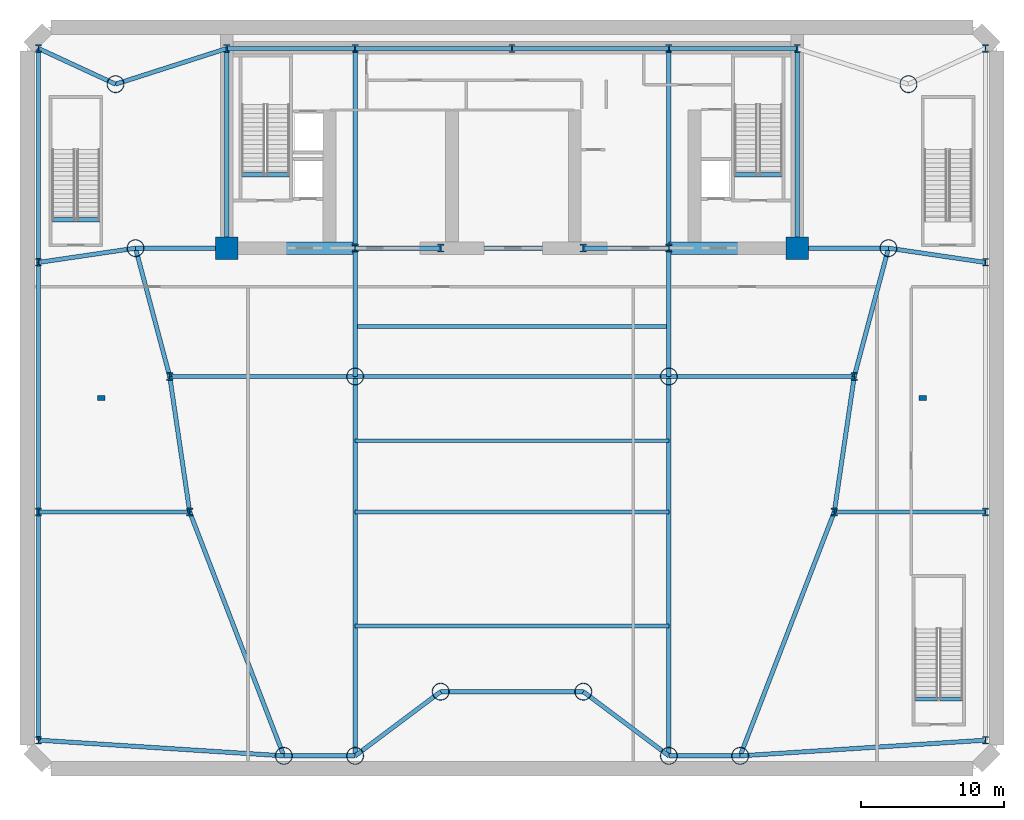
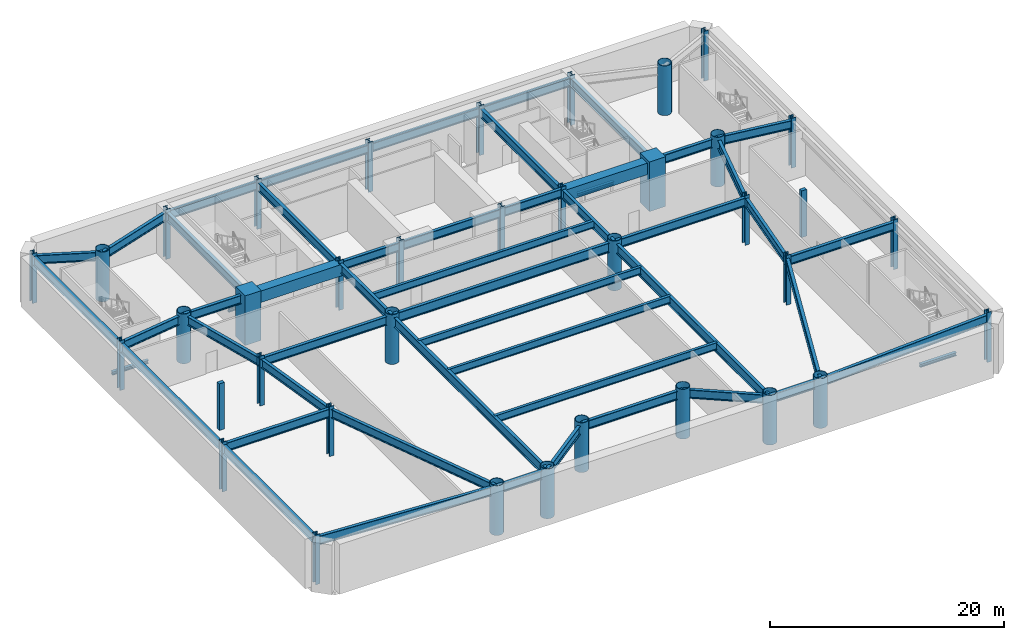
# One storey, part 1 of 9: 52 beams, 37 columns.
"""IFC4 building model written with IfcOpenShell, lengths in metres."""

import ifcopenshell
import ifcopenshell.guid

model = None  # the IFC model being written
_history = None  # IfcOwnerHistory: only IFC2X3 demands one
_inside = {}  # id of a spatial element -> (the spatial element, [elements in it])
_under = {}  # id of a project, library or spatial element -> (it, [spatial elements below it])
_declared = {}  # id of a project -> (the project, [libraries it declares])
_typed = {}  # id of a type object -> (the type object, [elements of that type])
_made_of = {}  # id of a material, layer set ... -> (it, [elements and type objects made of it])


def new_model(schema):
    """Start an empty IFC model of exactly this schema.

    Asked for "IFC4X3", IfcOpenShell would pick the latest addendum, in which some entities
    have other attributes; the version numbers below select the first issue.
    IFC2X3 requires an IfcOwnerHistory on every rooted entity: one is made here for all.
    """
    global model, _history
    if schema == "IFC4X3":
        model = ifcopenshell.file(schema_version=(4, 3, 0, 0))
    else:
        model = ifcopenshell.file(schema=schema)
    _inside.clear()
    _under.clear()
    _declared.clear()
    _typed.clear()
    _made_of.clear()
    _history = None
    if model.schema == "IFC2X3":
        org = make("IfcOrganization", Name="unknown")
        user = make(
            "IfcPersonAndOrganization",
            ThePerson=make("IfcPerson", FamilyName="unknown"),
            TheOrganization=org,
        )
        app = make(
            "IfcApplication",
            ApplicationDeveloper=org,
            Version="unknown",
            ApplicationFullName="unknown",
            ApplicationIdentifier="unknown",
        )
        _history = make(
            "IfcOwnerHistory",
            OwningUser=user,
            OwningApplication=app,
            ChangeAction="ADDED",
            CreationDate=0,
        )
    return model


def make(cls, **values):
    """One entity of the class cls with the attributes given. An attribute that is None is left unset."""
    return model.create_entity(
        cls, **{name: value for name, value in values.items() if value is not None}
    )


def rooted(cls, **values):
    """An entity with a GlobalId (a new one), such as an element, a storey or a relation."""
    return make(cls, GlobalId=ifcopenshell.guid.new(), OwnerHistory=_history, **values)


def si_unit(unit_type, name, prefix=None):
    """IfcSIUnit, for example si_unit("LENGTHUNIT", "METRE", prefix="MILLI")."""
    return make("IfcSIUnit", UnitType=unit_type, Prefix=prefix, Name=name)


def assignment(units):
    """IfcUnitAssignment: the units of a project."""
    return None if units is None else make("IfcUnitAssignment", Units=units)


def point(xyz):
    """IfcCartesianPoint."""
    return None if xyz is None else make("IfcCartesianPoint", Coordinates=xyz)


def direction(xyz):
    """IfcDirection."""
    return None if xyz is None else make("IfcDirection", DirectionRatios=xyz)


def frame(location, z_axis=None, x_axis=None):
    """IfcAxis2Placement3D, a coordinate frame: its origin and axes. An axis left out is left unset."""
    return make(
        "IfcAxis2Placement3D",
        Location=point(location),
        Axis=direction(z_axis),
        RefDirection=direction(x_axis),
    )


def frame_2d(location, x_axis=None):
    """IfcAxis2Placement2D, a coordinate frame in the plane: its origin and x axis."""
    return make(
        "IfcAxis2Placement2D", Location=point(location), RefDirection=direction(x_axis)
    )


def origin():
    """The frame at (0, 0, 0) with its axes left unset."""
    return frame((0.0, 0.0, 0.0))


def origin_2d():
    """The frame at (0, 0) in the plane with its x axis left unset."""
    return frame_2d((0.0, 0.0))


def place(relative_to, where):
    """IfcLocalPlacement: puts the frame where relative to a parent placement (None: the world)."""
    return make(
        "IfcLocalPlacement", PlacementRelTo=relative_to, RelativePlacement=where
    )


def context(
    kind, dimensions, precision=None, world=None, true_north=None, identifier=None
):
    """IfcGeometricRepresentationContext, for example the 3D "Model" context."""
    return make(
        "IfcGeometricRepresentationContext",
        ContextIdentifier=identifier,
        ContextType=kind,
        CoordinateSpaceDimension=dimensions,
        Precision=precision,
        WorldCoordinateSystem=world,
        TrueNorth=true_north,
    )


def subcontext(parent, identifier, kind, view, scale=None):
    """IfcGeometricRepresentationSubContext, for example "Body" below "Model"."""
    return make(
        "IfcGeometricRepresentationSubContext",
        ContextIdentifier=identifier,
        ContextType=kind,
        ParentContext=parent,
        TargetScale=scale,
        TargetView=view,
    )


def project(units=None, contexts=None):
    """IfcProject with its units and contexts."""
    return rooted(
        "IfcProject",
        Name="project",
        RepresentationContexts=contexts,
        UnitsInContext=assignment(units),
    )


def spatial(cls, under=None, at=None, **own):
    """A site, building, storey or space (cls), placed at a placement, below another one or the project."""
    s = rooted(cls, ObjectPlacement=at, **own)
    if under is not None:
        _under.setdefault(under.id(), (under, []))[1].append(s)
    return s


def profile(cls, at=None, kind="AREA", **sizes):
    """A parametric profile (cls). Its sizes go by their IFC names, for example OverallWidth=200.0."""
    return make(cls, ProfileType=kind, Position=at, **sizes)


def rectangle(**sizes):
    """IfcRectangleProfileDef."""
    return profile("IfcRectangleProfileDef", **sizes)


def hollow_circle(**sizes):
    """IfcCircleHollowProfileDef."""
    return profile("IfcCircleHollowProfileDef", **sizes)


def i_section(**sizes):
    """IfcIShapeProfileDef."""
    return profile("IfcIShapeProfileDef", **sizes)


def extrude(swept, where, along, depth):
    """IfcExtrudedAreaSolid: the profile swept, set in the frame where, extruded along a direction by depth."""
    return make(
        "IfcExtrudedAreaSolid",
        SweptArea=swept,
        Position=where,
        ExtrudedDirection=direction(along),
        Depth=depth,
    )


def shape(context_of_items, identifier, shape_type, items):
    """IfcShapeRepresentation: the items that make up one representation, for example the "Body"."""
    return make(
        "IfcShapeRepresentation",
        ContextOfItems=context_of_items,
        RepresentationIdentifier=identifier,
        RepresentationType=shape_type,
        Items=items,
    )


def source(mapping_origin, context_of_items, identifier, shape_type, items):
    """IfcRepresentationMap: a shape defined once, which mapped items show again and again."""
    return make(
        "IfcRepresentationMap",
        MappingOrigin=mapping_origin,
        MappedRepresentation=shape(context_of_items, identifier, shape_type, items),
    )


def transform(
    local_origin,
    x_axis=None,
    y_axis=None,
    z_axis=None,
    scale=None,
    scale2=None,
    scale3=None,
    uniform=True,
):
    """IfcCartesianTransformationOperator3D, or its non-uniform kind. x_axis, y_axis, z_axis: its Axis1, 2, 3."""
    if uniform:
        return make(
            "IfcCartesianTransformationOperator3D",
            Axis1=direction(x_axis),
            Axis2=direction(y_axis),
            LocalOrigin=point(local_origin),
            Scale=scale,
            Axis3=direction(z_axis),
        )
    return make(
        "IfcCartesianTransformationOperator3DnonUniform",
        Axis1=direction(x_axis),
        Axis2=direction(y_axis),
        LocalOrigin=point(local_origin),
        Scale=scale,
        Axis3=direction(z_axis),
        Scale2=scale2,
        Scale3=scale3,
    )


def mapped(mapping_source, mapping_target):
    """IfcMappedItem: shows the shape of a source again, moved by a transform."""
    return make(
        "IfcMappedItem", MappingSource=mapping_source, MappingTarget=mapping_target
    )


def material(Name=None, Category=None):
    """IfcMaterial."""
    return make("IfcMaterial", Name=Name, Category=Category)


def material_profile(
    of_material, cross_section, Name=None, Category=None, Priority=None
):
    """IfcMaterialProfile: a cross section and its material."""
    return make(
        "IfcMaterialProfile",
        Name=Name,
        Material=of_material,
        Profile=cross_section,
        Priority=Priority,
        Category=Category,
    )


def profile_set(profiles, Name=None, composite=None):
    """IfcMaterialProfileSet."""
    return make(
        "IfcMaterialProfileSet",
        Name=Name,
        MaterialProfiles=profiles,
        CompositeProfile=composite,
    )


def made_of(thing, what):
    """Note that an element or type object is made of a material, layer set ...; save() writes the relation."""
    if what is not None:
        _made_of.setdefault(what.id(), (what, []))[1].append(thing)
    return thing


def type_object(cls, material=None, **own):
    """A type object (cls), such as IfcWallType, which elements share."""
    return made_of(rooted(cls, **own), material)


def element(
    cls,
    number,
    at=None,
    inside=None,
    cuts=None,
    type_object=None,
    material=None,
    context=None,
    identifier="Body",
    shape_type=None,
    held_by="IfcProductDefinitionShape",
    body=None,
    shapes=None,
    **own,
):
    """One element of the class cls, such as IfcWall. Its Tag is "e" and its number.

    at: its placement. inside: the storey or other place that contains it. cuts: it is an
    opening in that element (IfcRelVoidsElement). A single representation is given by context,
    identifier, shape_type and body (its items); several are given by shapes. held_by: the class
    of the entity that holds the representations. save() writes the other relations.
    """
    e = rooted(cls, Tag="e%d" % number, ObjectPlacement=at, **own)
    if body is not None:
        shapes = [shape(context, identifier, shape_type, body)]
    if shapes is not None:
        e.Representation = make(held_by, Representations=shapes)
    if inside is not None:
        _inside.setdefault(inside.id(), (inside, []))[1].append(e)
    if cuts is not None:
        rooted(
            "IfcRelVoidsElement", RelatingBuildingElement=cuts, RelatedOpeningElement=e
        )
    if type_object is not None:
        _typed.setdefault(type_object.id(), (type_object, []))[1].append(e)
    return made_of(e, material)


def aggregate(whole, parts):
    """IfcRelAggregates: a whole, such as a stair, and the parts it consists of."""
    return rooted("IfcRelAggregates", RelatingObject=whole, RelatedObjects=parts)


def save(model, path):
    """Write the relations noted so far, then the file.

    IfcRelAggregates (storeys below a building ...), IfcRelContainedInSpatialStructure (elements
    in a storey), IfcRelDefinesByType, IfcRelAssociatesMaterial and IfcRelDeclares: one each for
    every whole, place, type object, material and project.
    """
    for whole, parts in _under.values():
        aggregate(whole, parts)
    for where, things in _inside.values():
        rooted(
            "IfcRelContainedInSpatialStructure",
            RelatedElements=things,
            RelatingStructure=where,
        )
    for kind, things in _typed.values():
        rooted("IfcRelDefinesByType", RelatedObjects=things, RelatingType=kind)
    for what, things in _made_of.values():
        rooted("IfcRelAssociatesMaterial", RelatedObjects=things, RelatingMaterial=what)
    for by, libraries in _declared.values():
        rooted("IfcRelDeclares", RelatingContext=by, RelatedDefinitions=libraries)
    model.write(path)


model = new_model("IFC4")

# Units and contexts
model_context = context("Model", 3, precision=1e-05, world=origin(), true_north=direction((0.0, 1.0)))
body_context = subcontext(model_context, "Body", "Model", "MODEL_VIEW")
ifc_project = project(units=[si_unit("LENGTHUNIT", "METRE"), si_unit("AREAUNIT", "SQUARE_METRE"), si_unit("VOLUMEUNIT", "CUBIC_METRE"), si_unit("PLANEANGLEUNIT", "RADIAN"), si_unit("MASSUNIT", "GRAM", prefix="KILO")], contexts=[model_context])

# Site, building, storey
site_placement = place(None, origin())
site = spatial("IfcSite", under=ifc_project, at=site_placement, CompositionType="ELEMENT")
building_placement = place(site_placement, origin())
building = spatial("IfcBuilding", under=site, at=building_placement, Name="Vaeldorn Concourse Tower", CompositionType="ELEMENT")
storey_placement = place(building_placement, frame((0.0, 0.0, -5.199951171875)))
storey = spatial("IfcBuildingStorey", under=building, at=storey_placement, Name="B01", CompositionType="ELEMENT", Elevation=-5.199951171875)

# Columns
ifc_material_1 = material(Name="Concrete C60/75", Category="concrete")
ifc_material_profile_1 = material_profile(ifc_material_1, rectangle(XDim=1.60009765625, YDim=1.60009765625, at=origin_2d()), Name="RC 1600x1600")
ifc_profile_set_1 = profile_set([ifc_material_profile_1], Name="Concrete C60/75")
column_type_1 = type_object("IfcColumnType", Name="COL-RC1600", PredefinedType="COLUMN", material=ifc_profile_set_1)
shared_shape_1 = source(origin(), body_context, "Body", "SweptSolid", [
    extrude(rectangle(XDim=1.60009765625, YDim=1.60009765625, at=origin_2d()), origin(), (0.0, 0.0, 1.0), 5.199951171875),
])
for number, where, z_axis, x_axis, name in (
    (1, (14.0, 36.5, 0.0), (0.0, 0.0, 1.0), (1.0, 0.0, 0.0), "Column C-FC1 B01"),
    (2, (54.0, 36.5, 0.0), (0.0, 0.0, 1.0), (1.0, 0.0, 0.0), "Column C-FC6 B01"),
):
    element("IfcColumn", number, at=place(storey_placement, frame(where, z_axis=z_axis, x_axis=x_axis)), inside=storey, type_object=column_type_1, Name=name, PredefinedType="COLUMN", context=body_context, shape_type="MappedRepresentation", body=[
        mapped(shared_shape_1, transform((0.0, 0.0, 0.0), scale=1.0)),
    ])
ifc_material_2 = material(Name="Steel S460", Category="steel")
ifc_material_profile_2 = material_profile(ifc_material_2, i_section(OverallWidth=0.4541015625, OverallDepth=0.569091796875, WebThickness=0.077880859375, FlangeThickness=0.080078125, FilletRadius=0.014892578125, at=origin_2d()), Name="HD 400x1086")
ifc_profile_set_2 = profile_set([ifc_material_profile_2], Name="Steel S460")
column_type_2 = type_object("IfcColumnType", Name="COL-HD1086", PredefinedType="COLUMN", material=ifc_profile_set_2)
shared_shape_2 = source(origin(), body_context, "Body", "SweptSolid", [
    extrude(i_section(OverallWidth=0.4541015625, OverallDepth=0.569091796875, WebThickness=0.077880859375, FlangeThickness=0.080078125, FilletRadius=0.014892578125, at=origin_2d()), origin(), (0.0, 0.0, 1.0), 5.199951171875),
])
for number, where, z_axis, x_axis, name in (
    (3, (23.0, 36.5, 0.0), (0.0, 0.0, 1.0), (1.0, 0.0, 0.0), "Column C-FC2 B01"),
    (4, (29.0, 36.5, 0.0), (0.0, 0.0, 1.0), (1.0, 0.0, 0.0), "Column C-FC3 B01"),
    (5, (39.0, 36.5, 0.0), (0.0, 0.0, 1.0), (1.0, 0.0, 0.0), "Column C-FC4 B01"),
    (6, (45.0, 36.5, 0.0), (0.0, 0.0, 1.0), (1.0, 0.0, 0.0), "Column C-FC5 B01"),
    (7, (14.0, 50.5, 0.0), (0.0, 0.0, 1.0), (1.0, 0.0, 0.0), "Column C-HC1 B01"),
    (8, (23.0, 50.5, 0.0), (0.0, 0.0, 1.0), (1.0, 0.0, 0.0), "Column C-HC2 B01"),
    (9, (34.0, 50.5, 0.0), (0.0, 0.0, 1.0), (1.0, 0.0, 0.0), "Column C-HC3 B01"),
    (10, (45.0, 50.5, 0.0), (0.0, 0.0, 1.0), (1.0, 0.0, 0.0), "Column C-HC4 B01"),
    (11, (54.0, 50.5, 0.0), (0.0, 0.0, 1.0), (1.0, 0.0, 0.0), "Column C-HC5 B01"),
):
    element("IfcColumn", number, at=place(storey_placement, frame(where, z_axis=z_axis, x_axis=x_axis)), inside=storey, type_object=column_type_2, Name=name, PredefinedType="COLUMN", context=body_context, shape_type="MappedRepresentation", body=[
        mapped(shared_shape_2, transform((0.0, 0.0, 0.0), scale=1.0)),
    ])
ifc_material_profile_3 = material_profile(ifc_material_2, hollow_circle(Radius=0.609619140625, WallThickness=0.050048828125, at=origin_2d()), Name="CHS 1219x50")
ifc_profile_set_3 = profile_set([ifc_material_profile_3], Name="Steel S460")
column_type_3 = type_object("IfcColumnType", Name="COL-CHS1219", PredefinedType="COLUMN", material=ifc_profile_set_3)
shared_shape_3 = source(origin(), body_context, "Body", "SweptSolid", [
    extrude(hollow_circle(Radius=0.609619140625, WallThickness=0.050048828125, at=origin_2d()), origin(), (0.0, 0.0, 1.0), 5.199951171875),
])
for number, where, z_axis, x_axis, name in (
    (12, (6.199951171875, 48.0, 0.0), (0.0, 0.0, 1.0), (1.0, 0.0, 0.0), "Column C-NW1 B01"),
    (13, (7.60009765625, 36.5, 0.0), (0.0, 0.0, 1.0), (1.0, 0.0, 0.0), "Column C-NW2 B01"),
    (14, (61.800048828125, 48.0, 0.0), (0.0, 0.0, 1.0), (1.0, 0.0, 0.0), "Column C-NE1 B01"),
    (15, (60.39990234375, 36.5, 0.0), (0.0, 0.0, 1.0), (1.0, 0.0, 0.0), "Column C-NE2 B01"),
    (16, (18.0, 0.89990234375, 0.0), (0.0, 0.0, 1.0), (1.0, 0.0, 0.0), "Column C-SM1 B01"),
    (17, (23.0, 0.89990234375, 0.0), (0.0, 0.0, 1.0), (1.0, 0.0, 0.0), "Column C-SM2 B01"),
    (18, (29.0, 5.39990234375, 0.0), (0.0, 0.0, 1.0), (1.0, 0.0, 0.0), "Column C-SM3 B01"),
    (19, (39.0, 5.39990234375, 0.0), (0.0, 0.0, 1.0), (1.0, 0.0, 0.0), "Column C-SM4 B01"),
    (20, (45.0, 0.89990234375, 0.0), (0.0, 0.0, 1.0), (1.0, 0.0, 0.0), "Column C-SM5 B01"),
    (21, (50.0, 0.89990234375, 0.0), (0.0, 0.0, 1.0), (1.0, 0.0, 0.0), "Column C-SM6 B01"),
    (22, (23.0, 27.5, 0.0), (0.0, 0.0, 1.0), (1.0, 0.0, 0.0), "Column C-TW1 B01"),
    (23, (45.0, 27.5, 0.0), (0.0, 0.0, 1.0), (1.0, 0.0, 0.0), "Column C-TW4 B01"),
):
    element("IfcColumn", number, at=place(storey_placement, frame(where, z_axis=z_axis, x_axis=x_axis)), inside=storey, type_object=column_type_3, Name=name, PredefinedType="COLUMN", context=body_context, shape_type="MappedRepresentation", body=[
        mapped(shared_shape_3, transform((0.0, 0.0, 0.0), scale=1.0)),
    ])
ifc_material_profile_4 = material_profile(ifc_material_2, i_section(OverallWidth=0.44189453125, OverallDepth=0.531005859375, WebThickness=0.06494140625, FlangeThickness=0.075927734375, FilletRadius=0.014892578125, at=origin_2d()), Name="HD 400x900")
ifc_profile_set_4 = profile_set([ifc_material_profile_4], Name="Steel S460")
column_type_4 = type_object("IfcColumnType", Name="COL-HD900F", PredefinedType="COLUMN", material=ifc_profile_set_4)
shared_shape_4 = source(origin(), body_context, "Body", "SweptSolid", [
    extrude(i_section(OverallWidth=0.44189453125, OverallDepth=0.531005859375, WebThickness=0.06494140625, FlangeThickness=0.075927734375, FilletRadius=0.014892578125, at=origin_2d()), origin(), (0.0, 0.0, 1.0), 5.199951171875),
])
for number, where, z_axis, x_axis, name in (
    (24, (0.800048828125, 2.0, 0.0), (0.0, 0.0, 1.0), (1.0, 0.0, 0.0), "Column C-PW1 B01"),
    (25, (0.800048828125, 18.0, 0.0), (0.0, 0.0, 1.0), (1.0, 0.0, 0.0), "Column C-PW2 B01"),
    (26, (0.800048828125, 35.5, 0.0), (0.0, 0.0, 1.0), (1.0, 0.0, 0.0), "Column C-PW3 B01"),
    (27, (0.800048828125, 50.5, 0.0), (0.0, 0.0, 1.0), (1.0, 0.0, 0.0), "Column C-PW4 B01"),
    (28, (67.199951171875, 2.0, 0.0), (0.0, 0.0, 1.0), (1.0, 0.0, 0.0), "Column C-PE1 B01"),
    (29, (67.199951171875, 18.0, 0.0), (0.0, 0.0, 1.0), (1.0, 0.0, 0.0), "Column C-PE2 B01"),
    (30, (67.199951171875, 35.5, 0.0), (0.0, 0.0, 1.0), (1.0, 0.0, 0.0), "Column C-PE3 B01"),
    (31, (67.199951171875, 50.5, 0.0), (0.0, 0.0, 1.0), (1.0, 0.0, 0.0), "Column C-PE4 B01"),
    (32, (10.0, 27.5, 0.0), (0.0, 0.0, 1.0), (1.0, 0.0, 0.0), "Column C-FLW1 B01"),
    (33, (11.39990234375, 18.0, 0.0), (0.0, 0.0, 1.0), (1.0, 0.0, 0.0), "Column C-FLW2 B01"),
    (34, (58.0, 27.5, 0.0), (0.0, 0.0, 1.0), (1.0, 0.0, 0.0), "Column C-FLE1 B01"),
    (35, (56.60009765625, 18.0, 0.0), (0.0, 0.0, 1.0), (1.0, 0.0, 0.0), "Column C-FLE2 B01"),
):
    element("IfcColumn", number, at=place(storey_placement, frame(where, z_axis=z_axis, x_axis=x_axis)), inside=storey, type_object=column_type_4, Name=name, PredefinedType="COLUMN", context=body_context, shape_type="MappedRepresentation", body=[
        mapped(shared_shape_4, transform((0.0, 0.0, 0.0), scale=1.0)),
    ])
ifc_material_3 = material(Name="Concrete C50/60", Category="concrete")
ifc_material_profile_5 = material_profile(ifc_material_3, rectangle(XDim=0.5, YDim=0.35009765625, at=origin_2d()), Name="RC 500x350")
ifc_profile_set_5 = profile_set([ifc_material_profile_5], Name="Concrete C50/60")
column_type_5 = type_object("IfcColumnType", Name="PIL-RC500x350", PredefinedType="PILASTER", material=ifc_profile_set_5)
shared_shape_5 = source(origin(), body_context, "Body", "SweptSolid", [
    extrude(rectangle(XDim=0.5, YDim=0.35009765625, at=origin_2d()), origin(), (0.0, 0.0, 1.0), 4.8798828125),
])
for number, where, z_axis, x_axis, name in (
    (36, (5.199951171875, 26.0, 0.0), (0.0, 0.0, 1.0), (1.0, 0.0, 0.0), "Concourse Structural Pilaster B01-W"),
    (37, (62.800048828125, 26.0, 0.0), (0.0, 0.0, 1.0), (1.0, 0.0, 0.0), "Concourse Structural Pilaster B01-E"),
):
    element("IfcColumn", number, at=place(storey_placement, frame(where, z_axis=z_axis, x_axis=x_axis)), inside=storey, type_object=column_type_5, Name=name, PredefinedType="PILASTER", context=body_context, shape_type="MappedRepresentation", body=[
        mapped(shared_shape_5, transform((0.0, 0.0, 0.0), scale=1.0)),
    ])

# Beams
ifc_material_profile_6 = material_profile(ifc_material_1, rectangle(XDim=0.89990234375, YDim=1.199951171875, at=origin_2d()), Name="RC 900x1200")
ifc_profile_set_6 = profile_set([ifc_material_profile_6], Name="Concrete C60/75")
beam_type_1 = type_object("IfcBeamType", Name="BM-CB-RC900", PredefinedType="BEAM", material=ifc_profile_set_6)
shared_shape_6 = source(origin(), body_context, "Body", "SweptSolid", [
    extrude(rectangle(XDim=0.89990234375, YDim=1.199951171875, at=origin_2d()), origin(), (0.0, 0.0, 1.0), 9.0),
])
for number, where, z_axis, x_axis, name in (
    (38, (14.0, 36.5, 4.280029296875), (1.0, 0.0, 0.0), (0.0, 1.0, 0.0), "Core Coupling Beam B01-1"),
    (39, (45.0, 36.5, 4.280029296875), (1.0, 0.0, 0.0), (0.0, 1.0, 0.0), "Core Coupling Beam B01-2"),
):
    element("IfcBeam", number, at=place(storey_placement, frame(where, z_axis=z_axis, x_axis=x_axis)), inside=storey, type_object=beam_type_1, Name=name, PredefinedType="BEAM", context=body_context, shape_type="MappedRepresentation", body=[
        mapped(shared_shape_6, transform((0.0, 0.0, 0.0), scale=1.0)),
    ])
ifc_material_4 = material(Name="Steel S355", Category="steel")
ifc_material_profile_7 = material_profile(ifc_material_4, i_section(OverallWidth=0.300048828125, OverallDepth=0.340087890625, WebThickness=0.011962890625, FlangeThickness=0.021484375, FilletRadius=0.027099609375, at=origin_2d()), Name="HEB 340")
ifc_profile_set_7 = profile_set([ifc_material_profile_7], Name="Steel S355")
beam_type_2 = type_object("IfcBeamType", Name="BM-ST-TRIM", PredefinedType="BEAM", material=ifc_profile_set_7)
shared_shape_7 = source(origin(), body_context, "Body", "SweptSolid", [
    extrude(i_section(OverallWidth=0.300048828125, OverallDepth=0.340087890625, WebThickness=0.011962890625, FlangeThickness=0.021484375, FilletRadius=0.027099609375, at=origin_2d()), origin(), (0.0, 0.0, 1.0), 3.590087890625),
])
for number, where, z_axis, x_axis, name in (
    (40, (14.929931640625, 41.639892578125, -0.489990234375), (1.0, 0.0, 0.0), (0.0, 1.0, 0.0), "Stair Landing Trimmer Beam ST-1 B01"),
    (41, (49.47998046875, 41.639892578125, -0.489990234375), (1.0, 0.0, 0.0), (0.0, 1.0, 0.0), "Stair Landing Trimmer Beam ST-2 B01"),
    (42, (1.6298828125, 38.489990234375, -0.489990234375), (1.0, 0.0, 0.0), (0.0, 1.0, 0.0), "Stair Landing Trimmer Beam ST-3 B01"),
    (43, (62.1298828125, 4.889892578125, -0.489990234375), (1.0, 0.0, 0.0), (0.0, 1.0, 0.0), "Stair Landing Trimmer Beam ST-5 B01"),
):
    element("IfcBeam", number, at=place(storey_placement, frame(where, z_axis=z_axis, x_axis=x_axis)), inside=storey, type_object=beam_type_2, Name=name, PredefinedType="BEAM", context=body_context, shape_type="MappedRepresentation", body=[
        mapped(shared_shape_7, transform((0.0, 0.0, 0.0), scale=1.0)),
    ])
ifc_material_profile_8 = material_profile(ifc_material_4, i_section(OverallWidth=0.302001953125, OverallDepth=0.909912109375, WebThickness=0.02099609375, FlangeThickness=0.0400390625, FilletRadius=0.030029296875, at=origin_2d()), Name="HEM 900")
ifc_profile_set_8 = profile_set([ifc_material_profile_8], Name="Steel S355")
beam_type_3 = type_object("IfcBeamType", Name="BM-PG-HEM900", PredefinedType="BEAM", material=ifc_profile_set_8)
shared_shape_8 = source(origin(), body_context, "Body", "SweptSolid", [
    extrude(i_section(OverallWidth=0.302001953125, OverallDepth=0.909912109375, WebThickness=0.02099609375, FlangeThickness=0.0400390625, FilletRadius=0.030029296875, at=origin_2d()), origin(), (0.0, 0.0, 1.0), 6.0),
])
for number, where, z_axis, x_axis, name in (
    (44, (23.0, 36.5, 4.425048828125), (1.0, 0.0, 0.0), (0.0, 1.0, 0.0), "Beam BM-B01-C-FC2-C-FC3"),
    (45, (39.0, 36.5, 4.425048828125), (1.0, 0.0, 0.0), (0.0, 1.0, 0.0), "Beam BM-B01-C-FC4-C-FC5"),
):
    element("IfcBeam", number, at=place(storey_placement, frame(where, z_axis=z_axis, x_axis=x_axis)), inside=storey, type_object=beam_type_3, Name=name, PredefinedType="BEAM", context=body_context, shape_type="MappedRepresentation", body=[
        mapped(shared_shape_8, transform((0.0, 0.0, 0.0), scale=1.0)),
    ])
shared_shape_9 = source(origin(), body_context, "Body", "SweptSolid", [
    extrude(i_section(OverallWidth=0.302001953125, OverallDepth=0.909912109375, WebThickness=0.02099609375, FlangeThickness=0.0400390625, FilletRadius=0.030029296875, at=origin_2d()), origin(), (0.0, 0.0, 1.0), 10.0),
])
for number, where, z_axis, x_axis, name in (
    (46, (29.0, 36.5, 4.425048828125), (1.0, 0.0, 0.0), (0.0, 1.0, 0.0), "Beam BM-B01-C-FC3-C-FC4"),
    (47, (29.0, 5.39990234375, 4.425048828125), (1.0, 0.0, 0.0), (0.0, 1.0, 0.0), "Beam BM-B01-C-SM3-C-SM4"),
):
    element("IfcBeam", number, at=place(storey_placement, frame(where, z_axis=z_axis, x_axis=x_axis)), inside=storey, type_object=beam_type_3, Name=name, PredefinedType="BEAM", context=body_context, shape_type="MappedRepresentation", body=[
        mapped(shared_shape_9, transform((0.0, 0.0, 0.0), scale=1.0)),
    ])
shared_shape_10 = source(origin(), body_context, "Body", "SweptSolid", [
    extrude(i_section(OverallWidth=0.302001953125, OverallDepth=0.909912109375, WebThickness=0.02099609375, FlangeThickness=0.0400390625, FilletRadius=0.030029296875, at=origin_2d()), origin(), (0.0, 0.0, 1.0), 9.0),
])
for number, where, z_axis, x_axis, name in (
    (48, (14.0, 50.5, 4.425048828125), (1.0, 0.0, 0.0), (0.0, 1.0, 0.0), "Beam BM-B01-C-HC1-C-HC2"),
    (49, (45.0, 50.5, 4.425048828125), (1.0, 0.0, 0.0), (0.0, 1.0, 0.0), "Beam BM-B01-C-HC4-C-HC5"),
    (50, (23.0, 27.5, 4.425048828125), (0.0, 1.0, 0.0), (-1.0, 0.0, 0.0), "Beam BM-B01-C-TW1-C-FC2"),
    (51, (45.0, 27.5, 4.425048828125), (0.0, 1.0, 0.0), (-1.0, 0.0, 0.0), "Beam BM-B01-C-TW4-C-FC5"),
):
    element("IfcBeam", number, at=place(storey_placement, frame(where, z_axis=z_axis, x_axis=x_axis)), inside=storey, type_object=beam_type_3, Name=name, PredefinedType="BEAM", context=body_context, shape_type="MappedRepresentation", body=[
        mapped(shared_shape_10, transform((0.0, 0.0, 0.0), scale=1.0)),
    ])
shared_shape_11 = source(origin(), body_context, "Body", "SweptSolid", [
    extrude(i_section(OverallWidth=0.302001953125, OverallDepth=0.909912109375, WebThickness=0.02099609375, FlangeThickness=0.0400390625, FilletRadius=0.030029296875, at=origin_2d()), origin(), (0.0, 0.0, 1.0), 11.0),
])
for number, where, z_axis, x_axis, name in (
    (52, (23.0, 50.5, 4.425048828125), (1.0, 0.0, 0.0), (0.0, 1.0, 0.0), "Beam BM-B01-C-HC2-C-HC3"),
    (53, (34.0, 50.5, 4.425048828125), (1.0, 0.0, 0.0), (0.0, 1.0, 0.0), "Beam BM-B01-C-HC3-C-HC4"),
):
    element("IfcBeam", number, at=place(storey_placement, frame(where, z_axis=z_axis, x_axis=x_axis)), inside=storey, type_object=beam_type_3, Name=name, PredefinedType="BEAM", context=body_context, shape_type="MappedRepresentation", body=[
        mapped(shared_shape_11, transform((0.0, 0.0, 0.0), scale=1.0)),
    ])
shared_shape_12 = source(origin(), body_context, "Body", "SweptSolid", [
    extrude(i_section(OverallWidth=0.302001953125, OverallDepth=0.909912109375, WebThickness=0.02099609375, FlangeThickness=0.0400390625, FilletRadius=0.030029296875, at=origin_2d()), origin(), (0.0, 0.0, 1.0), 14.0),
])
for number, where, z_axis, x_axis, name in (
    (54, (14.0, 36.5, 4.425048828125), (0.0, 1.0, 0.0), (-1.0, 0.0, 0.0), "Beam BM-B01-C-FC1-C-HC1"),
    (55, (23.0, 36.5, 4.425048828125), (0.0, 1.0, 0.0), (-1.0, 0.0, 0.0), "Beam BM-B01-C-FC2-C-HC2"),
    (56, (45.0, 36.5, 4.425048828125), (0.0, 1.0, 0.0), (-1.0, 0.0, 0.0), "Beam BM-B01-C-FC5-C-HC4"),
    (57, (54.0, 36.5, 4.425048828125), (0.0, 1.0, 0.0), (-1.0, 0.0, 0.0), "Beam BM-B01-C-FC6-C-HC5"),
):
    element("IfcBeam", number, at=place(storey_placement, frame(where, z_axis=z_axis, x_axis=x_axis)), inside=storey, type_object=beam_type_3, Name=name, PredefinedType="BEAM", context=body_context, shape_type="MappedRepresentation", body=[
        mapped(shared_shape_12, transform((0.0, 0.0, 0.0), scale=1.0)),
    ])
shared_shape_13 = source(origin(), body_context, "Body", "SweptSolid", [
    extrude(i_section(OverallWidth=0.302001953125, OverallDepth=0.909912109375, WebThickness=0.02099609375, FlangeThickness=0.0400390625, FilletRadius=0.030029296875, at=origin_2d()), origin(), (0.0, 0.0, 1.0), 16.0),
])
beam_1_placement = place(storey_placement, frame((0.800048828125, 2.0, 4.425048828125), z_axis=(0.0, 1.0, 0.0), x_axis=(-1.0, 0.0, 0.0)))
element("IfcBeam", 58, at=beam_1_placement, inside=storey, type_object=beam_type_3, Name="Beam BM-B01-C-PW1-C-PW2", PredefinedType="BEAM", context=body_context, shape_type="MappedRepresentation", body=[
    mapped(shared_shape_13, transform((0.0, 0.0, 0.0), scale=1.0)),
])
shared_shape_14 = source(origin(), body_context, "Body", "SweptSolid", [
    extrude(i_section(OverallWidth=0.302001953125, OverallDepth=0.909912109375, WebThickness=0.02099609375, FlangeThickness=0.0400390625, FilletRadius=0.030029296875, at=origin_2d()), origin(), (0.0, 0.0, 1.0), 17.5),
])
beam_2_placement = place(storey_placement, frame((0.800048828125, 18.0, 4.425048828125), z_axis=(0.0, 1.0, 0.0), x_axis=(-1.0, 0.0, 0.0)))
element("IfcBeam", 59, at=beam_2_placement, inside=storey, type_object=beam_type_3, Name="Beam BM-B01-C-PW2-C-PW3", PredefinedType="BEAM", context=body_context, shape_type="MappedRepresentation", body=[
    mapped(shared_shape_14, transform((0.0, 0.0, 0.0), scale=1.0)),
])
shared_shape_15 = source(origin(), body_context, "Body", "SweptSolid", [
    extrude(i_section(OverallWidth=0.302001953125, OverallDepth=0.909912109375, WebThickness=0.02099609375, FlangeThickness=0.0400390625, FilletRadius=0.030029296875, at=origin_2d()), origin(), (0.0, 0.0, 1.0), 15.0),
])
beam_3_placement = place(storey_placement, frame((0.800048828125, 35.5, 4.425048828125), z_axis=(0.0, 1.0, 0.0), x_axis=(-1.0, 0.0, 0.0)))
element("IfcBeam", 60, at=beam_3_placement, inside=storey, type_object=beam_type_3, Name="Beam BM-B01-C-PW3-C-PW4", PredefinedType="BEAM", context=body_context, shape_type="MappedRepresentation", body=[
    mapped(shared_shape_15, transform((0.0, 0.0, 0.0), scale=1.0)),
])
shared_shape_16 = source(origin(), body_context, "Body", "SweptSolid", [
    extrude(i_section(OverallWidth=0.302001953125, OverallDepth=0.909912109375, WebThickness=0.02099609375, FlangeThickness=0.0400390625, FilletRadius=0.030029296875, at=origin_2d()), origin(), (0.0, 0.0, 1.0), 5.0),
])
for number, where, z_axis, x_axis, name in (
    (61, (18.0, 0.89990234375, 4.425048828125), (1.0, 0.0, 0.0), (0.0, 1.0, 0.0), "Beam BM-B01-C-SM1-C-SM2"),
    (62, (45.0, 0.89990234375, 4.425048828125), (1.0, 0.0, 0.0), (0.0, 1.0, 0.0), "Beam BM-B01-C-SM5-C-SM6"),
):
    element("IfcBeam", number, at=place(storey_placement, frame(where, z_axis=z_axis, x_axis=x_axis)), inside=storey, type_object=beam_type_3, Name=name, PredefinedType="BEAM", context=body_context, shape_type="MappedRepresentation", body=[
        mapped(shared_shape_16, transform((0.0, 0.0, 0.0), scale=1.0)),
    ])
shared_shape_17 = source(origin(), body_context, "Body", "SweptSolid", [
    extrude(i_section(OverallWidth=0.302001953125, OverallDepth=0.909912109375, WebThickness=0.02099609375, FlangeThickness=0.0400390625, FilletRadius=0.030029296875, at=origin_2d()), origin(), (0.0, 0.0, 1.0), 7.5),
])
for number, where, z_axis, x_axis, name in (
    (63, (23.0, 0.89990234375, 4.425048828125), (0.8, 0.6, 0.0), (-0.6, 0.8, 0.0), "Beam BM-B01-C-SM2-C-SM3"),
    (64, (39.0, 5.39990234375, 4.425048828125), (0.8, -0.6, 0.0), (0.6, 0.8, 0.0), "Beam BM-B01-C-SM4-C-SM5"),
):
    element("IfcBeam", number, at=place(storey_placement, frame(where, z_axis=z_axis, x_axis=x_axis)), inside=storey, type_object=beam_type_3, Name=name, PredefinedType="BEAM", context=body_context, shape_type="MappedRepresentation", body=[
        mapped(shared_shape_17, transform((0.0, 0.0, 0.0), scale=1.0)),
    ])
shared_shape_18 = source(origin(), body_context, "Body", "SweptSolid", [
    extrude(i_section(OverallWidth=0.302001953125, OverallDepth=0.909912109375, WebThickness=0.02099609375, FlangeThickness=0.0400390625, FilletRadius=0.030029296875, at=origin_2d()), origin(), (0.0, 0.0, 1.0), 17.235107421875),
])
for number, where, z_axis, x_axis, name in (
    (65, (0.800048828125, 2.0, 4.425048828125), (0.997960855094, -0.063828925254, 0.0), (0.063828925254, 0.997960855094, 0.0), "Beam BM-B01-C-PW1-C-SM1"),
    (66, (50.0, 0.89990234375, 4.425048828125), (0.997960855094, 0.063828925254, 0.0), (-0.063828925254, 0.997960855094, 0.0), "Beam BM-B01-C-SM6-C-PE1"),
):
    element("IfcBeam", number, at=place(storey_placement, frame(where, z_axis=z_axis, x_axis=x_axis)), inside=storey, type_object=beam_type_3, Name=name, PredefinedType="BEAM", context=body_context, shape_type="MappedRepresentation", body=[
        mapped(shared_shape_18, transform((0.0, 0.0, 0.0), scale=1.0)),
    ])
shared_shape_19 = source(origin(), body_context, "Body", "SweptSolid", [
    extrude(i_section(OverallWidth=0.302001953125, OverallDepth=0.909912109375, WebThickness=0.02099609375, FlangeThickness=0.0400390625, FilletRadius=0.030029296875, at=origin_2d()), origin(), (0.0, 0.0, 1.0), 6.873291015625),
])
for number, where, z_axis, x_axis, name in (
    (67, (0.800048828125, 35.5, 4.425048828125), (0.989359285749, 0.145492967882, 0.0), (-0.145492967882, 0.989359285749, 0.0), "Beam BM-B01-C-PW3-C-NW2"),
    (68, (60.39990234375, 36.5, 4.425048828125), (0.989359285749, -0.145492967882, 0.0), (0.145492967882, 0.989359285749, 0.0), "Beam BM-B01-C-NE2-C-PE3"),
):
    element("IfcBeam", number, at=place(storey_placement, frame(where, z_axis=z_axis, x_axis=x_axis)), inside=storey, type_object=beam_type_3, Name=name, PredefinedType="BEAM", context=body_context, shape_type="MappedRepresentation", body=[
        mapped(shared_shape_19, transform((0.0, 0.0, 0.0), scale=1.0)),
    ])
shared_shape_20 = source(origin(), body_context, "Body", "SweptSolid", [
    extrude(i_section(OverallWidth=0.302001953125, OverallDepth=0.909912109375, WebThickness=0.02099609375, FlangeThickness=0.0400390625, FilletRadius=0.030029296875, at=origin_2d()), origin(), (0.0, 0.0, 1.0), 6.39990234375),
])
for number, where, z_axis, x_axis, name in (
    (69, (7.60009765625, 36.5, 4.425048828125), (1.0, 0.0, 0.0), (0.0, 1.0, 0.0), "Beam BM-B01-C-NW2-C-FC1"),
    (70, (54.0, 36.5, 4.425048828125), (1.0, 0.0, 0.0), (0.0, 1.0, 0.0), "Beam BM-B01-C-FC6-C-NE2"),
):
    element("IfcBeam", number, at=place(storey_placement, frame(where, z_axis=z_axis, x_axis=x_axis)), inside=storey, type_object=beam_type_3, Name=name, PredefinedType="BEAM", context=body_context, shape_type="MappedRepresentation", body=[
        mapped(shared_shape_20, transform((0.0, 0.0, 0.0), scale=1.0)),
    ])
shared_shape_21 = source(origin(), body_context, "Body", "SweptSolid", [
    extrude(i_section(OverallWidth=0.302001953125, OverallDepth=0.909912109375, WebThickness=0.02099609375, FlangeThickness=0.0400390625, FilletRadius=0.030029296875, at=origin_2d()), origin(), (0.0, 0.0, 1.0), 5.950439453125),
])
beam_4_placement = place(storey_placement, frame((0.800048828125, 50.5, 4.425048828125), z_axis=(0.907464010437, -0.420129824888, 0.0), x_axis=(0.420129824888, 0.907464010437, 0.0)))
element("IfcBeam", 71, at=beam_4_placement, inside=storey, type_object=beam_type_3, Name="Beam BM-B01-C-PW4-C-NW1", PredefinedType="BEAM", context=body_context, shape_type="MappedRepresentation", body=[
    mapped(shared_shape_21, transform((0.0, 0.0, 0.0), scale=1.0)),
])
shared_shape_22 = source(origin(), body_context, "Body", "SweptSolid", [
    extrude(i_section(OverallWidth=0.302001953125, OverallDepth=0.909912109375, WebThickness=0.02099609375, FlangeThickness=0.0400390625, FilletRadius=0.030029296875, at=origin_2d()), origin(), (0.0, 0.0, 1.0), 8.19091796875),
])
beam_5_placement = place(storey_placement, frame((6.199951171875, 48.0, 4.425048828125), z_axis=(0.952282843383, 0.305216949396, 0.0), x_axis=(-0.305216949396, 0.952282843383, 0.0)))
element("IfcBeam", 72, at=beam_5_placement, inside=storey, type_object=beam_type_3, Name="Beam BM-B01-C-NW1-C-HC1", PredefinedType="BEAM", context=body_context, shape_type="MappedRepresentation", body=[
    mapped(shared_shape_22, transform((0.0, 0.0, 0.0), scale=1.0)),
])
shared_shape_23 = source(origin(), body_context, "Body", "SweptSolid", [
    extrude(i_section(OverallWidth=0.302001953125, OverallDepth=0.909912109375, WebThickness=0.02099609375, FlangeThickness=0.0400390625, FilletRadius=0.030029296875, at=origin_2d()), origin(), (0.0, 0.0, 1.0), 9.314453125),
])
for number, where, z_axis, x_axis, name in (
    (73, (7.60009765625, 36.5, 4.425048828125), (0.257652862255, -0.966237549763, 0.0), (0.966237549763, 0.257652862255, 0.0), "Beam BM-B01-C-NW2-C-FLW1"),
    (74, (60.39990234375, 36.5, 4.425048828125), (-0.257652862255, -0.966237549763, 0.0), (0.966237549763, -0.257652862255, 0.0), "Beam BM-B01-C-NE2-C-FLE1"),
):
    element("IfcBeam", number, at=place(storey_placement, frame(where, z_axis=z_axis, x_axis=x_axis)), inside=storey, type_object=beam_type_3, Name=name, PredefinedType="BEAM", context=body_context, shape_type="MappedRepresentation", body=[
        mapped(shared_shape_23, transform((0.0, 0.0, 0.0), scale=1.0)),
    ])
shared_shape_24 = source(origin(), body_context, "Body", "SweptSolid", [
    extrude(i_section(OverallWidth=0.302001953125, OverallDepth=0.909912109375, WebThickness=0.02099609375, FlangeThickness=0.0400390625, FilletRadius=0.030029296875, at=origin_2d()), origin(), (0.0, 0.0, 1.0), 9.6025390625),
])
for number, where, z_axis, x_axis, name in (
    (75, (10.0, 27.5, 4.425048828125), (0.145783835977, -0.989316467652, 0.0), (0.989316467652, 0.145783835977, 0.0), "Beam BM-B01-C-FLW1-C-FLW2"),
    (76, (58.0, 27.5, 4.425048828125), (-0.145783835977, -0.989316467652, 0.0), (0.989316467652, -0.145783835977, 0.0), "Beam BM-B01-C-FLE1-C-FLE2"),
):
    element("IfcBeam", number, at=place(storey_placement, frame(where, z_axis=z_axis, x_axis=x_axis)), inside=storey, type_object=beam_type_3, Name=name, PredefinedType="BEAM", context=body_context, shape_type="MappedRepresentation", body=[
        mapped(shared_shape_24, transform((0.0, 0.0, 0.0), scale=1.0)),
    ])
shared_shape_25 = source(origin(), body_context, "Body", "SweptSolid", [
    extrude(i_section(OverallWidth=0.302001953125, OverallDepth=0.909912109375, WebThickness=0.02099609375, FlangeThickness=0.0400390625, FilletRadius=0.030029296875, at=origin_2d()), origin(), (0.0, 0.0, 1.0), 18.32958984375),
])
for number, where, z_axis, x_axis, name in (
    (77, (11.39990234375, 18.0, 4.425048828125), (0.36007844134, -0.932922031084, 0.0), (0.932922031084, 0.36007844134, 0.0), "Beam BM-B01-C-FLW2-C-SM1"),
    (78, (56.60009765625, 18.0, 4.425048828125), (-0.36007844134, -0.932922031084, 0.0), (0.932922031084, -0.36007844134, 0.0), "Beam BM-B01-C-FLE2-C-SM6"),
):
    element("IfcBeam", number, at=place(storey_placement, frame(where, z_axis=z_axis, x_axis=x_axis)), inside=storey, type_object=beam_type_3, Name=name, PredefinedType="BEAM", context=body_context, shape_type="MappedRepresentation", body=[
        mapped(shared_shape_25, transform((0.0, 0.0, 0.0), scale=1.0)),
    ])
ifc_material_profile_9 = material_profile(ifc_material_2, i_section(OverallWidth=0.302001953125, OverallDepth=1.008056640625, WebThickness=0.02099609375, FlangeThickness=0.0400390625, FilletRadius=0.030029296875, at=origin_2d()), Name="HEM 1000")
ifc_profile_set_9 = profile_set([ifc_material_profile_9], Name="Steel S460")
beam_type_4 = type_object("IfcBeamType", Name="BM-TG-HEM1000", PredefinedType="BEAM", material=ifc_profile_set_9)
shared_shape_26 = source(origin(), body_context, "Body", "SweptSolid", [
    extrude(i_section(OverallWidth=0.302001953125, OverallDepth=1.008056640625, WebThickness=0.02099609375, FlangeThickness=0.0400390625, FilletRadius=0.030029296875, at=origin_2d()), origin(), (0.0, 0.0, 1.0), 26.60009765625),
])
for number, where, z_axis, x_axis, name in (
    (79, (23.0, 0.89990234375, 4.3759765625), (0.0, 1.0, 0.0), (-1.0, 0.0, 0.0), "Beam BM-B01-C-SM2-C-TW1"),
    (80, (45.0, 0.89990234375, 4.3759765625), (0.0, 1.0, 0.0), (-1.0, 0.0, 0.0), "Beam BM-B01-C-SM5-C-TW4"),
):
    element("IfcBeam", number, at=place(storey_placement, frame(where, z_axis=z_axis, x_axis=x_axis)), inside=storey, type_object=beam_type_4, Name=name, PredefinedType="BEAM", context=body_context, shape_type="MappedRepresentation", body=[
        mapped(shared_shape_26, transform((0.0, 0.0, 0.0), scale=1.0)),
    ])
shared_shape_27 = source(origin(), body_context, "Body", "SweptSolid", [
    extrude(i_section(OverallWidth=0.302001953125, OverallDepth=1.008056640625, WebThickness=0.02099609375, FlangeThickness=0.0400390625, FilletRadius=0.030029296875, at=origin_2d()), origin(), (0.0, 0.0, 1.0), 22.0),
])
beam_6_placement = place(storey_placement, frame((23.0, 27.5, 4.3759765625), z_axis=(1.0, 0.0, 0.0), x_axis=(0.0, 1.0, 0.0)))
element("IfcBeam", 81, at=beam_6_placement, inside=storey, type_object=beam_type_4, Name="Beam BM-B01-C-TW1-C-TW4", PredefinedType="BEAM", context=body_context, shape_type="MappedRepresentation", body=[
    mapped(shared_shape_27, transform((0.0, 0.0, 0.0), scale=1.0)),
])
shared_shape_28 = source(origin(), body_context, "Body", "SweptSolid", [
    extrude(i_section(OverallWidth=0.302001953125, OverallDepth=0.909912109375, WebThickness=0.02099609375, FlangeThickness=0.0400390625, FilletRadius=0.030029296875, at=origin_2d()), origin(), (0.0, 0.0, 1.0), 13.0),
])
for number, where, z_axis, x_axis, name in (
    (82, (10.0, 27.5, 4.425048828125), (1.0, 0.0, 0.0), (0.0, 1.0, 0.0), "Beam BM-B01-C-FLW1-C-TW1"),
    (83, (45.0, 27.5, 4.425048828125), (1.0, 0.0, 0.0), (0.0, 1.0, 0.0), "Beam BM-B01-C-TW4-C-FLE1"),
):
    element("IfcBeam", number, at=place(storey_placement, frame(where, z_axis=z_axis, x_axis=x_axis)), inside=storey, type_object=beam_type_3, Name=name, PredefinedType="BEAM", context=body_context, shape_type="MappedRepresentation", body=[
        mapped(shared_shape_28, transform((0.0, 0.0, 0.0), scale=1.0)),
    ])
shared_shape_29 = source(origin(), body_context, "Body", "SweptSolid", [
    extrude(i_section(OverallWidth=0.302001953125, OverallDepth=0.909912109375, WebThickness=0.02099609375, FlangeThickness=0.0400390625, FilletRadius=0.030029296875, at=origin_2d()), origin(), (0.0, 0.0, 1.0), 10.599853515625),
])
for number, where, z_axis, x_axis, name in (
    (84, (0.800048828125, 18.0, 4.425048828125), (1.0, 0.0, 0.0), (0.0, 1.0, 0.0), "Beam BM-B01-C-PW2-C-FLW2"),
    (85, (67.199951171875, 18.0, 4.425048828125), (-1.0, 0.0, 0.0), (0.0, -1.0, 0.0), "Beam BM-B01-C-PE2-C-FLE2"),
):
    element("IfcBeam", number, at=place(storey_placement, frame(where, z_axis=z_axis, x_axis=x_axis)), inside=storey, type_object=beam_type_3, Name=name, PredefinedType="BEAM", context=body_context, shape_type="MappedRepresentation", body=[
        mapped(shared_shape_29, transform((0.0, 0.0, 0.0), scale=1.0)),
    ])
ifc_material_profile_10 = material_profile(ifc_material_4, i_section(OverallWidth=0.26708984375, OverallDepth=0.761962890625, WebThickness=0.014404296875, FlangeThickness=0.021484375, FilletRadius=0.01708984375, at=origin_2d()), Name="IPE 750x173")
ifc_profile_set_10 = profile_set([ifc_material_profile_10], Name="Steel S355")
beam_type_5 = type_object("IfcBeamType", Name="BM-JS-IPE750", PredefinedType="JOIST", material=ifc_profile_set_10)
shared_shape_30 = source(origin(), body_context, "Body", "SweptSolid", [
    extrude(i_section(OverallWidth=0.26708984375, OverallDepth=0.761962890625, WebThickness=0.014404296875, FlangeThickness=0.021484375, FilletRadius=0.01708984375, at=origin_2d()), origin(), (0.0, 0.0, 1.0), 22.0),
])
for number, where, z_axis, x_axis, name in (
    (86, (23.0, 10.0, 4.4990234375), (1.0, 0.0, 0.0), (0.0, 1.0, 0.0), "Beam JS-B01-C-10"),
    (87, (23.0, 18.0, 4.4990234375), (1.0, 0.0, 0.0), (0.0, 1.0, 0.0), "Beam JS-B01-C-18"),
    (88, (23.0, 23.0, 4.4990234375), (1.0, 0.0, 0.0), (0.0, 1.0, 0.0), "Beam JS-B01-C-23"),
    (89, (23.0, 31.0, 4.4990234375), (1.0, 0.0, 0.0), (0.0, 1.0, 0.0), "Beam JS-B01-C-31"),
):
    element("IfcBeam", number, at=place(storey_placement, frame(where, z_axis=z_axis, x_axis=x_axis)), inside=storey, type_object=beam_type_5, Name=name, PredefinedType="JOIST", context=body_context, shape_type="MappedRepresentation", body=[
        mapped(shared_shape_30, transform((0.0, 0.0, 0.0), scale=1.0)),
    ])

save(model, "model.ifc")
